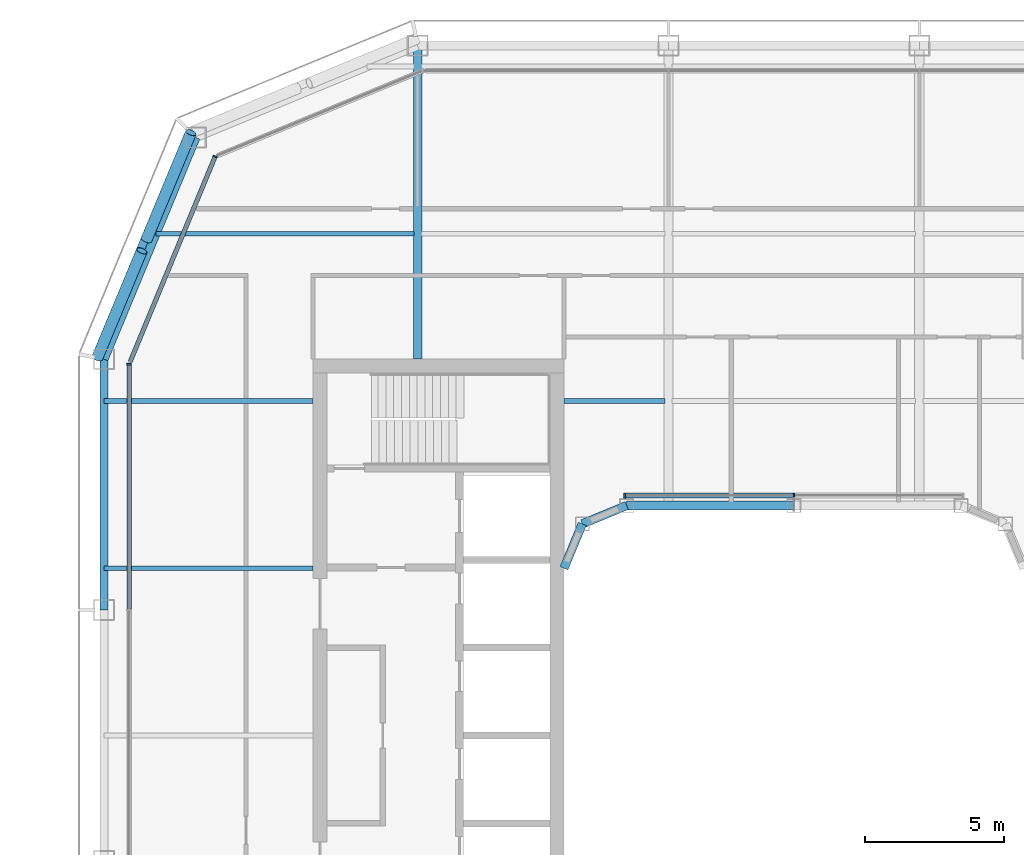
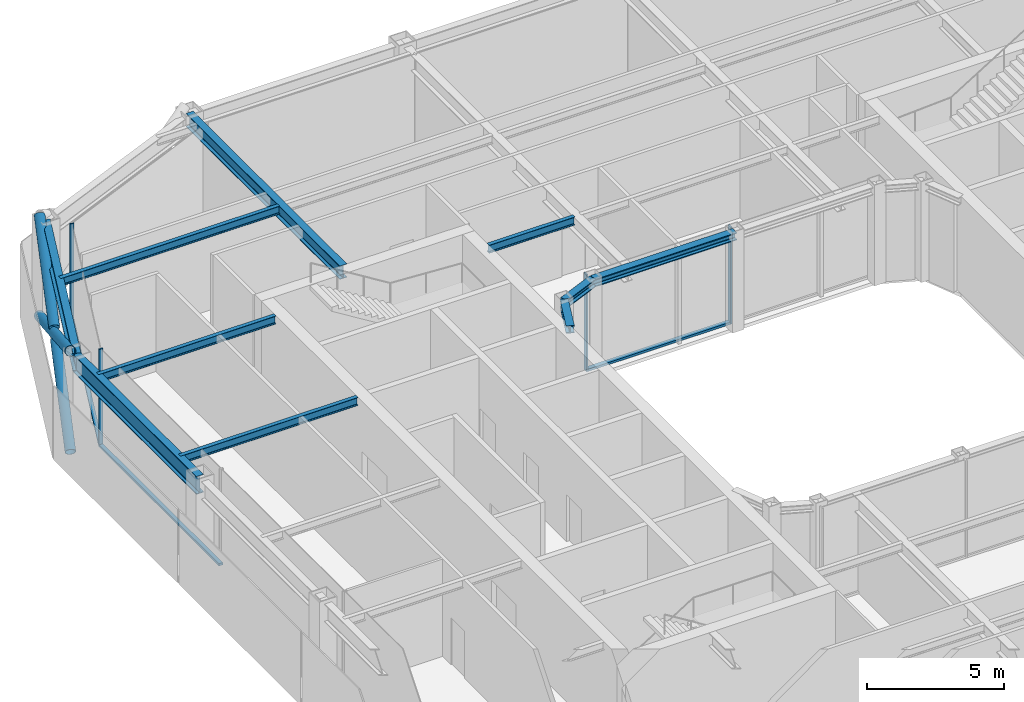
# One storey, part 6 of 20: 10 beams, 10 members, 3 elements without a shape of their own.
"""IFC4 building model written with IfcOpenShell, lengths in metres."""

from ifc_helpers import new_model, si_unit, direction, frame, origin, origin_2d, place, context, subcontext, project, spatial, rectangle, hollow_circle, i_section, extrude, material, layer, layer_set, material_profile, profile_set, type_object, element, aggregate, save


model = new_model("IFC4")

# Units and contexts
model_context = context("Model", 3, precision=1e-05, world=origin(), true_north=direction((0.0, 1.0)))
body_context = subcontext(model_context, "Body", "Model", "MODEL_VIEW")
ifc_project = project(units=[si_unit("LENGTHUNIT", "METRE"), si_unit("AREAUNIT", "SQUARE_METRE"), si_unit("VOLUMEUNIT", "CUBIC_METRE"), si_unit("PLANEANGLEUNIT", "RADIAN"), si_unit("MASSUNIT", "GRAM", prefix="KILO")], contexts=[model_context])

# Site, building, storey
site_placement = place(None, origin())
site = spatial("IfcSite", under=ifc_project, at=site_placement, CompositionType="ELEMENT")
building_placement = place(site_placement, origin())
building = spatial("IfcBuilding", under=site, at=building_placement, Name="Siwar Civic Tower", CompositionType="ELEMENT")
storey_placement = place(building_placement, frame((0.0, 0.0, 316.699951171875)))
storey = spatial("IfcBuildingStorey", under=building, at=storey_placement, Name="L68", CompositionType="ELEMENT", Elevation=316.699951171875)

# Curtain wall, member
ifc_material_1 = material(Name="Aluminium clad insulated panel", Category="aluminium")
ifc_layer_1 = layer(ifc_material_1, 0.159912109375)
ifc_layer_set_1 = layer_set([ifc_layer_1], Name="Aluminium clad insulated panel")
curtain_wall_type_1 = type_object("IfcCurtainWallType", Name="ENV-CW-DX", PredefinedType="NOTDEFINED", material=ifc_layer_set_1)
curtain_wall_1_placement = place(storey_placement, origin())
curtain_wall_1 = element("IfcCurtainWall", 1, at=curtain_wall_1_placement, inside=storey, type_object=curtain_wall_type_1, Name="Curtain wall D NW2", PredefinedType="NOTDEFINED")
ifc_material_2 = material(Name="Aluminium 6063-T6", Category="aluminium")
ifc_material_profile_1 = material_profile(ifc_material_2, rectangle(XDim=0.159912109375, YDim=0.06005859375, at=origin_2d()), Name="AL 160x60")
ifc_profile_set_1 = profile_set([ifc_material_profile_1], Name="Aluminium 6063-T6")
member_type_1 = type_object("IfcMemberType", Name="ENV-MULLION-D", PredefinedType="MULLION", material=ifc_profile_set_1)
member_1_placement = place(storey_placement, frame((-20.76611328125, 20.76611328125, 0.0), z_axis=(0.0, 0.0, 1.0), x_axis=(0.923879532511, -0.382683432365, 0.0)))
member_1 = element("IfcMember", 2, at=member_1_placement, type_object=member_type_1, Name="Mullion D NW2 1", PredefinedType="MULLION", context=body_context, shape_type="SweptSolid", body=[
    extrude(rectangle(XDim=0.159912109375, YDim=0.06005859375, at=origin_2d()), origin(), (0.0, 0.0, 1.0), 4.35009765625),
])

ifc_material_3 = material(Name="Aluminium and glass", Category="aluminium")
ifc_layer_2 = layer(ifc_material_3, 0.159912109375)
ifc_layer_set_2 = layer_set([ifc_layer_2], Name="Aluminium and glass")
curtain_wall_type_2 = type_object("IfcCurtainWallType", Name="ENV-CW-D", PredefinedType="NOTDEFINED", material=ifc_layer_set_2)
curtain_wall_2_placement = place(storey_placement, origin())
curtain_wall_2 = element("IfcCurtainWall", 3, at=curtain_wall_2_placement, inside=storey, type_object=curtain_wall_type_2, Name="Curtain wall D W", PredefinedType="NOTDEFINED")
member_2_placement = place(storey_placement, frame((-23.85009765625, 13.321044921875, 0.0), z_axis=(0.0, 0.0, 1.0), x_axis=(1.0, 0.0, 0.0)))
member_2 = element("IfcMember", 4, at=member_2_placement, type_object=member_type_1, Name="Mullion D W 1", PredefinedType="MULLION", context=body_context, shape_type="SweptSolid", body=[
    extrude(rectangle(XDim=0.159912109375, YDim=0.06005859375, at=origin_2d()), origin(), (0.0, 0.0, 1.0), 4.35009765625),
])

# Curtain wall, members
ifc_material_4 = material(Name="Aluminium and glass", Category="aluminium")
ifc_layer_3 = layer(ifc_material_4, 0.179931640625)
ifc_layer_set_3 = layer_set([ifc_layer_3], Name="Aluminium and glass")
curtain_wall_type_3 = type_object("IfcCurtainWallType", Name="ENV-CW-W", PredefinedType="NOTDEFINED", material=ifc_layer_set_3)
curtain_wall_3_placement = place(storey_placement, origin())
curtain_wall_3 = element("IfcCurtainWall", 5, at=curtain_wall_3_placement, inside=storey, type_object=curtain_wall_type_3, Name="Curtain wall W WN", PredefinedType="NOTDEFINED")
ifc_material_5 = material(Name="Aluminium 6063-T6", Category="aluminium")
ifc_material_profile_2 = material_profile(ifc_material_5, rectangle(XDim=0.179931640625, YDim=0.06005859375, at=origin_2d()), Name="AL 180x60")
ifc_profile_set_2 = profile_set([ifc_material_profile_2], Name="Aluminium 6063-T6")
member_type_2 = type_object("IfcMemberType", Name="ENV-MULLION-W", PredefinedType="MULLION", material=ifc_profile_set_2)
member_3_placement = place(storey_placement, frame((0.0, 8.610107421875, 0.0), z_axis=(0.0, 0.0, 1.0), x_axis=(0.0, -1.0, 0.0)))
member_3 = element("IfcMember", 6, at=member_3_placement, type_object=member_type_2, Name="Mullion W WN 2", PredefinedType="MULLION", context=body_context, shape_type="SweptSolid", body=[
    extrude(rectangle(XDim=0.179931640625, YDim=0.06005859375, at=origin_2d()), origin(), (0.0, 0.0, 1.0), 4.35009765625),
])
member_4_placement = place(storey_placement, frame((-6.071533203125, 8.610107421875, 0.0), z_axis=(0.0, 0.0, 1.0), x_axis=(0.0, -1.0, 0.0)))
member_4 = element("IfcMember", 7, at=member_4_placement, type_object=member_type_2, Name="Mullion W WN 3", PredefinedType="MULLION", context=body_context, shape_type="SweptSolid", body=[
    extrude(rectangle(XDim=0.179931640625, YDim=0.06005859375, at=origin_2d()), origin(), (0.0, 0.0, 1.0), 4.35009765625),
])

# Member
ifc_material_6 = material(Name="Aluminium 6063-T6", Category="aluminium")
ifc_material_profile_3 = material_profile(ifc_material_6, rectangle(XDim=0.159912109375, YDim=0.10009765625, at=origin_2d()), Name="AL 160x100")
ifc_profile_set_3 = profile_set([ifc_material_profile_3], Name="Aluminium 6063-T6")
member_type_3 = type_object("IfcMemberType", Name="ENV-TRANSOM-D", PredefinedType="USERDEFINED", material=ifc_profile_set_3)
member_5_placement = place(storey_placement, frame((-20.777587890625, 20.738525390625, 0.050048828125), z_axis=(-0.382673515031, -0.923883640343, 0.0), x_axis=(0.923883640343, -0.382673515031, 0.0)))
member_5 = element("IfcMember", 8, at=member_5_placement, type_object=member_type_3, Name="Transom D NW2 1", ObjectType="TRANSOM", PredefinedType="USERDEFINED", context=body_context, shape_type="SweptSolid", body=[
    extrude(rectangle(XDim=0.159912109375, YDim=0.10009765625, at=origin_2d()), origin(), (0.0, 0.0, 1.0), 7.930908203125),
])

aggregate(curtain_wall_1, [member_1, member_5])

member_6_placement = place(storey_placement, frame((-23.85009765625, 13.291015625, 0.050048828125), z_axis=(0.0, -1.0, 0.0), x_axis=(1.0, 0.0, 0.0)))
member_6 = element("IfcMember", 9, at=member_6_placement, type_object=member_type_3, Name="Transom D W 1", ObjectType="TRANSOM", PredefinedType="USERDEFINED", context=body_context, shape_type="SweptSolid", body=[
    extrude(rectangle(XDim=0.159912109375, YDim=0.10009765625, at=origin_2d()), origin(), (0.0, 0.0, 1.0), 8.760986328125),
])

aggregate(curtain_wall_2, [member_2, member_6])

ifc_material_7 = material(Name="Aluminium 6063-T6", Category="aluminium")
ifc_material_profile_4 = material_profile(ifc_material_7, rectangle(XDim=0.179931640625, YDim=0.10009765625, at=origin_2d()), Name="AL 180x100")
ifc_profile_set_4 = profile_set([ifc_material_profile_4], Name="Aluminium 6063-T6")
member_type_4 = type_object("IfcMemberType", Name="ENV-TRANSOM-W", PredefinedType="USERDEFINED", material=ifc_profile_set_4)
member_7_placement = place(storey_placement, frame((-0.030029296875, 8.610107421875, 0.050048828125), z_axis=(-1.0, 0.0, 0.0), x_axis=(0.0, -1.0, 0.0)))
member_7 = element("IfcMember", 10, at=member_7_placement, type_object=member_type_4, Name="Transom W WN 2", ObjectType="TRANSOM", PredefinedType="USERDEFINED", context=body_context, shape_type="SweptSolid", body=[
    extrude(rectangle(XDim=0.179931640625, YDim=0.10009765625, at=origin_2d()), origin(), (0.0, 0.0, 1.0), 6.011474609375),
])

aggregate(curtain_wall_3, [member_3, member_4, member_7])

# Members
ifc_material_8 = material(Name="Steel S355", Category="steel")
ifc_material_profile_5 = material_profile(ifc_material_8, hollow_circle(Radius=0.203125, WallThickness=0.01611328125, at=origin_2d()), Name="CHS406.4x16")
ifc_profile_set_5 = profile_set([ifc_material_profile_5], Name="Steel S355")
member_type_5 = type_object("IfcMemberType", Name="STR-BR-CHS406.4x16", PredefinedType="BRACE", material=ifc_profile_set_5)
member_8_placement = place(storey_placement, frame((-21.6318359375, 21.6318359375, 0.0), z_axis=(-0.341671493852, -0.821142553604, 0.457149315816), x_axis=(0.923264922524, -0.384163874976, 0.0)))
element("IfcMember", 11, at=member_8_placement, inside=storey, type_object=member_type_5, Name="L68/brc/DNW1-7-0-1", PredefinedType="BRACE", context=body_context, shape_type="SweptSolid", body=[
    extrude(hollow_circle(Radius=0.203125, WallThickness=0.01611328125, at=origin_2d()), origin(), (0.0, 0.0, 1.0), 9.843505859375),
])
for number, where, z_axis, x_axis, name in (
    (12, (-24.9951171875, 13.548828125, 0.0), (0.341659024948, 0.821130093572, 0.45718101459), (-0.923267827529, 0.384156893273, 0.0), "L68/brc/DNW1-7-0-2"),
    (13, (-23.229736328125, 17.791259765625, 2.362060546875), (0.341652533125, 0.821166691915, 0.457120127208), (-0.923276488787, 0.38413607648, 0.0), "L68/brc/DNW1-7-0-3"),
):
    element("IfcMember", number, at=place(storey_placement, frame(where, z_axis=z_axis, x_axis=x_axis)), inside=storey, type_object=member_type_5, Name=name, PredefinedType="BRACE", context=body_context, shape_type="SweptSolid", body=[
        extrude(hollow_circle(Radius=0.203125, WallThickness=0.01611328125, at=origin_2d()), origin(), (0.0, 0.0, 1.0), 4.677001953125),
    ])

# Beams
ifc_material_9 = material(Name="Steel S355", Category="steel")
ifc_material_profile_6 = material_profile(ifc_material_9, i_section(OverallWidth=0.169921875, OverallDepth=0.360107421875, WebThickness=0.008056640625, FlangeThickness=0.0126953125, FilletRadius=0.01806640625, at=origin_2d()), Name="IPE360")
ifc_profile_set_6 = profile_set([ifc_material_profile_6], Name="Steel S355")
beam_type_1 = type_object("IfcBeamType", Name="STR-FB-IPE360", PredefinedType="JOIST", material=ifc_profile_set_6)
for number, where, z_axis, x_axis, name in (
    (14, (-24.75, 6.0, 4.170166015625), (1.0, 0.0, 0.0), (0.0, 1.0, 0.0), "L68/bm/F020"),
    (15, (-24.75, 12.0, 4.170166015625), (1.0, 0.0, 0.0), (0.0, 1.0, 0.0), "L68/bm/F022"),
):
    element("IfcBeam", number, at=place(storey_placement, frame(where, z_axis=z_axis, x_axis=x_axis)), inside=storey, type_object=beam_type_1, Name=name, PredefinedType="JOIST", context=body_context, shape_type="SweptSolid", body=[
        extrude(i_section(OverallWidth=0.169921875, OverallDepth=0.360107421875, WebThickness=0.008056640625, FlangeThickness=0.0126953125, FilletRadius=0.01806640625, at=origin_2d()), origin(), (0.0, 0.0, 1.0), 7.5),
    ])
beam_1_placement = place(storey_placement, frame((-8.25, 12.0, 4.170166015625), z_axis=(1.0, 0.0, 0.0), x_axis=(0.0, 1.0, 0.0)))
element("IfcBeam", 16, at=beam_1_placement, inside=storey, type_object=beam_type_1, Name="L68/bm/F023", PredefinedType="JOIST", context=body_context, shape_type="SweptSolid", body=[
    extrude(i_section(OverallWidth=0.169921875, OverallDepth=0.360107421875, WebThickness=0.008056640625, FlangeThickness=0.0126953125, FilletRadius=0.01806640625, at=origin_2d()), origin(), (0.0, 0.0, 1.0), 3.6201171875),
])
beam_2_placement = place(storey_placement, frame((-22.885986328125, 18.0, 4.170166015625), z_axis=(1.0, 0.0, 0.0), x_axis=(0.0, 1.0, 0.0)))
element("IfcBeam", 17, at=beam_2_placement, inside=storey, type_object=beam_type_1, Name="L68/bm/F027", PredefinedType="JOIST", context=body_context, shape_type="SweptSolid", body=[
    extrude(i_section(OverallWidth=0.169921875, OverallDepth=0.360107421875, WebThickness=0.008056640625, FlangeThickness=0.0126953125, FilletRadius=0.01806640625, at=origin_2d()), origin(), (0.0, 0.0, 1.0), 9.256103515625),
])
ifc_material_10 = material(Name="Steel S355", Category="steel")
ifc_material_profile_7 = material_profile(ifc_material_10, i_section(OverallWidth=0.300048828125, OverallDepth=0.60009765625, WebThickness=0.015380859375, FlangeThickness=0.030029296875, FilletRadius=0.027099609375, at=origin_2d()), Name="HEB600")
ifc_profile_set_7 = profile_set([ifc_material_profile_7], Name="Steel S355")
beam_type_2 = type_object("IfcBeamType", Name="STR-PG-HEB600", PredefinedType="BEAM", material=ifc_profile_set_7)
beam_3_placement = place(storey_placement, frame((-13.5, 13.5, 4.050048828125), z_axis=(0.0, 1.0, 0.0), x_axis=(-1.0, 0.0, 0.0)))
element("IfcBeam", 18, at=beam_3_placement, inside=storey, type_object=beam_type_2, Name="L68/bm/G02", PredefinedType="BEAM", context=body_context, shape_type="SweptSolid", body=[
    extrude(i_section(OverallWidth=0.300048828125, OverallDepth=0.60009765625, WebThickness=0.015380859375, FlangeThickness=0.030029296875, FilletRadius=0.027099609375, at=origin_2d()), origin(), (0.0, 0.0, 1.0), 11.25),
])
ifc_material_11 = material(Name="Steel S355", Category="steel")
ifc_material_profile_8 = material_profile(ifc_material_11, i_section(OverallWidth=0.31005859375, OverallDepth=0.340087890625, WebThickness=0.02099609375, FlangeThickness=0.0390625, FilletRadius=0.027099609375, at=origin_2d()), Name="HEM300")
ifc_profile_set_8 = profile_set([ifc_material_profile_8], Name="Steel S355")
beam_type_3 = type_object("IfcBeamType", Name="STR-RB-HEM300", PredefinedType="BEAM", material=ifc_profile_set_8)
beam_4_placement = place(storey_placement, frame((-7.591064453125, 7.591064453125, 4.179931640625), z_axis=(0.923901072997, 0.382631424892, 0.0), x_axis=(-0.382631424892, 0.923901072997, 0.0)))
element("IfcBeam", 19, at=beam_4_placement, inside=storey, type_object=beam_type_3, Name="L68/bm/RN0", PredefinedType="BEAM", context=body_context, shape_type="SweptSolid", body=[
    extrude(i_section(OverallWidth=0.31005859375, OverallDepth=0.340087890625, WebThickness=0.02099609375, FlangeThickness=0.0390625, FilletRadius=0.027099609375, at=origin_2d()), origin(), (0.0, 0.0, 1.0), 1.72216796875),
])
beam_5_placement = place(storey_placement, frame((-6.0, 8.25, 4.179931640625), z_axis=(1.0, 0.0, 0.0), x_axis=(0.0, 1.0, 0.0)))
element("IfcBeam", 20, at=beam_5_placement, inside=storey, type_object=beam_type_3, Name="L68/bm/RN1", PredefinedType="BEAM", context=body_context, shape_type="SweptSolid", body=[
    extrude(i_section(OverallWidth=0.31005859375, OverallDepth=0.340087890625, WebThickness=0.02099609375, FlangeThickness=0.0390625, FilletRadius=0.027099609375, at=origin_2d()), origin(), (0.0, 0.0, 1.0), 6.0),
])
beam_6_placement = place(storey_placement, frame((-7.591064453125, 7.591064453125, 4.179931640625), z_axis=(-0.382631424892, -0.923901072997, 0.0), x_axis=(0.923901072997, -0.382631424892, 0.0)))
element("IfcBeam", 21, at=beam_6_placement, inside=storey, type_object=beam_type_3, Name="L68/bm/RNEW", PredefinedType="BEAM", context=body_context, shape_type="SweptSolid", body=[
    extrude(i_section(OverallWidth=0.31005859375, OverallDepth=0.340087890625, WebThickness=0.02099609375, FlangeThickness=0.0390625, FilletRadius=0.027099609375, at=origin_2d()), origin(), (0.0, 0.0, 1.0), 1.72216796875),
])
ifc_material_12 = material(Name="Steel S355", Category="steel")
ifc_material_profile_9 = material_profile(ifc_material_12, i_section(OverallWidth=0.300048828125, OverallDepth=0.800048828125, WebThickness=0.017578125, FlangeThickness=0.032958984375, FilletRadius=0.030029296875, at=origin_2d()), Name="HEB800")
ifc_profile_set_9 = profile_set([ifc_material_profile_9], Name="Steel S355")
beam_type_4 = type_object("IfcBeamType", Name="STR-SB-HEB800", PredefinedType="BEAM", material=ifc_profile_set_9)
beam_7_placement = place(storey_placement, frame((-21.454833984375, 21.454833984375, 3.949951171875), z_axis=(-0.382699877515, -0.923872720536, 0.0), x_axis=(0.923872720536, -0.382699877515, 0.0)))
element("IfcBeam", 22, at=beam_7_placement, inside=storey, type_object=beam_type_4, Name="L68/bm/SNW2-0", PredefinedType="BEAM", context=body_context, shape_type="SweptSolid", body=[
    extrude(i_section(OverallWidth=0.300048828125, OverallDepth=0.800048828125, WebThickness=0.017578125, FlangeThickness=0.032958984375, FilletRadius=0.030029296875, at=origin_2d()), origin(), (0.0, 0.0, 1.0), 8.6103515625),
])
beam_8_placement = place(storey_placement, frame((-24.75, 13.5, 3.949951171875), z_axis=(0.0, -1.0, 0.0), x_axis=(1.0, 0.0, 0.0)))
element("IfcBeam", 23, at=beam_8_placement, inside=storey, type_object=beam_type_4, Name="L68/bm/SW-0", PredefinedType="BEAM", context=body_context, shape_type="SweptSolid", body=[
    extrude(i_section(OverallWidth=0.300048828125, OverallDepth=0.800048828125, WebThickness=0.017578125, FlangeThickness=0.032958984375, FilletRadius=0.030029296875, at=origin_2d()), origin(), (0.0, 0.0, 1.0), 9.0),
])

save(model, "model.ifc")
